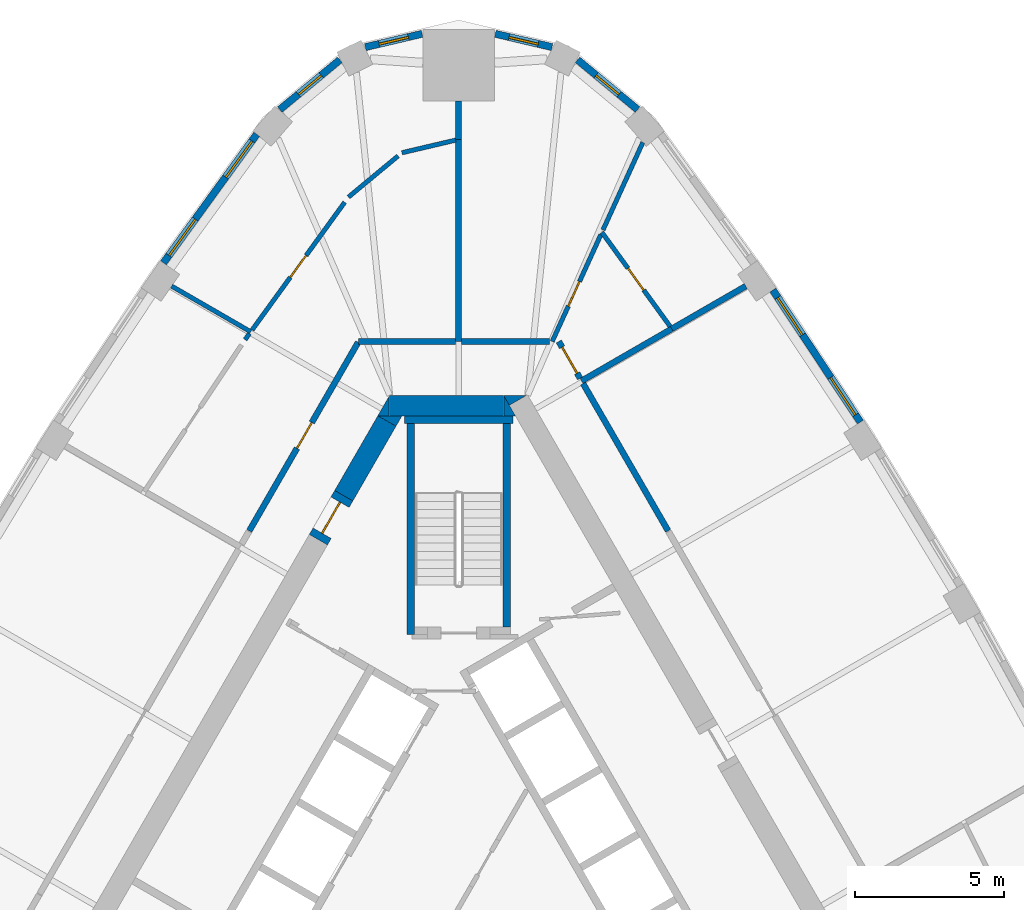
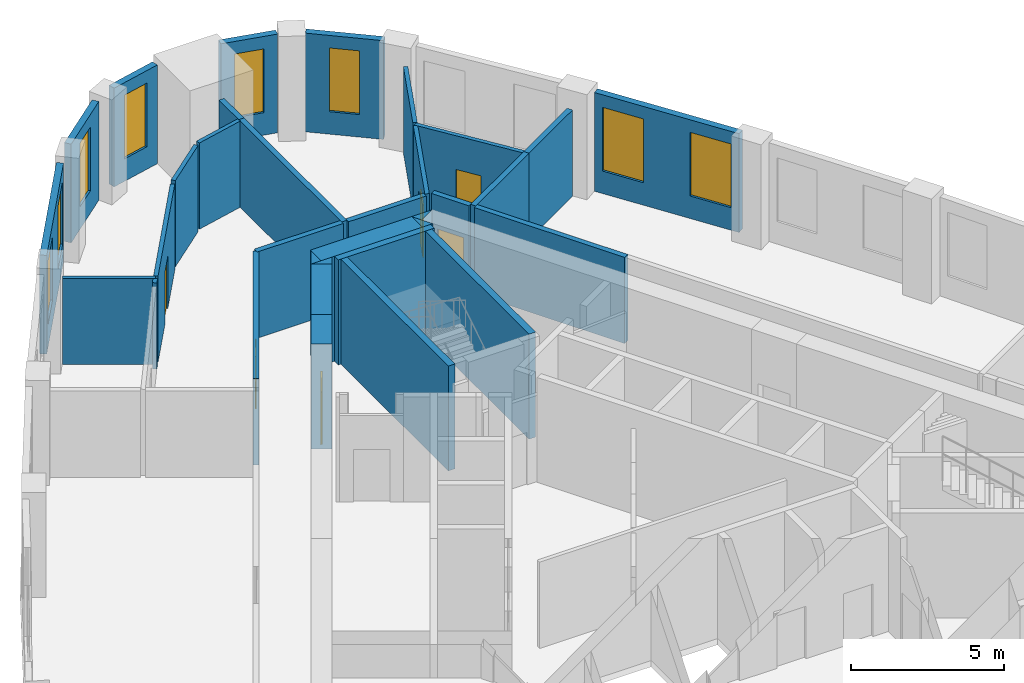
# One storey, part 8 of 10: 33 walls, 8 windows, 6 doors, 14 openings.
"""IFC4 building model written with IfcOpenShell, lengths in metres."""

from ifc_helpers import new_model, si_unit, direction, frame, frame_2d, origin, place, context, subcontext, project, spatial, polyline, rectangle, outline, extrude, material, layer, layer_set, type_object, element, fill, save


model = new_model("IFC4")

# Units and contexts
model_context = context("Model", 3, precision=1e-05, world=origin(), true_north=direction((0.0, 1.0)))
body_context = subcontext(model_context, "Body", "Model", "MODEL_VIEW")
ifc_project = project(units=[si_unit("LENGTHUNIT", "METRE"), si_unit("AREAUNIT", "SQUARE_METRE"), si_unit("VOLUMEUNIT", "CUBIC_METRE"), si_unit("PLANEANGLEUNIT", "RADIAN"), si_unit("MASSUNIT", "GRAM", prefix="KILO")], contexts=[model_context])

# Site, building, storey
site_placement = place(None, origin())
site = spatial("IfcSite", under=ifc_project, at=site_placement, CompositionType="ELEMENT")
building_placement = place(site_placement, origin())
building = spatial("IfcBuilding", under=site, at=building_placement, Name="Mestral Congress Tower", CompositionType="ELEMENT")
storey_placement = place(building_placement, frame((0.0, 0.0, 243.60009765625)))
storey = spatial("IfcBuildingStorey", under=building, at=storey_placement, Name="L57", CompositionType="ELEMENT", Elevation=243.60009765625)

# Walls
ifc_material_1 = material(Name="Concrete C60/75", Category="concrete")
ifc_layer_1 = layer(ifc_material_1, 0.699951171875)
ifc_layer_set_1 = layer_set([ifc_layer_1], Name="Concrete C60/75")
wall_type_1 = type_object("IfcWallType", Name="Core wall RC 700", PredefinedType="SOLIDWALL", material=ifc_layer_set_1)
placement = place(storey_placement, origin())
element("IfcWall", 1, at=placement, inside=storey, type_object=wall_type_1, Name="L57 core wall", PredefinedType="SOLIDWALL", context=body_context, shape_type="SweptSolid", body=[
    extrude(outline(polyline([(1.501220703125, 16.699951171875), (2.277099609375, 16.699951171875), (1.695068359375, 16.364013671875), (1.501220703125, 16.699951171875)])), origin(), (0.0, 0.0, 1.0), 4.199951171875),
])
wall_2_placement = place(storey_placement, frame((-2.323486328125, 16.35009765625, 0.0), z_axis=(0.0, 0.0, 1.0), x_axis=(1.0, 0.0, 0.0)))
element("IfcWall", 2, at=wall_2_placement, inside=storey, type_object=wall_type_1, Name="L57 core wall", PredefinedType="SOLIDWALL", context=body_context, shape_type="SweptSolid", body=[
    extrude(rectangle(XDim=3.828857421875, YDim=0.699951171875, at=frame_2d((1.91455078125, 0.0))), origin(), (0.0, 0.0, 1.0), 4.199951171875),
])
element("IfcWall", 3, at=placement, inside=storey, type_object=wall_type_1, Name="L57 core wall", PredefinedType="SOLIDWALL", context=body_context, shape_type="SweptSolid", body=[
    extrude(outline(polyline([(1.9052734375, 16.0), (1.50732421875, 16.0), (1.50732421875, 16.689208984375), (1.9052734375, 16.0)])), origin(), (0.0, 0.0, 1.0), 4.199951171875),
])
element("IfcWall", 4, at=placement, inside=storey, type_object=wall_type_1, Name="L57 core wall", PredefinedType="SOLIDWALL", context=body_context, shape_type="SweptSolid", body=[
    extrude(outline(polyline([(-2.71337890625, 16.0), (-2.325439453125, 16.672119140625), (-2.325439453125, 16.0), (-2.71337890625, 16.0)])), origin(), (0.0, 0.0, 1.0), 4.199951171875),
])
wall_5_placement = place(storey_placement, frame((-2.4033203125, 15.837158203125, 0.0), z_axis=(0.0, 0.0, 1.0), x_axis=(-0.500008214683, -0.866020660983, 0.0)))
element("IfcWall", 5, at=wall_5_placement, inside=storey, type_object=wall_type_1, Name="L57 core wall", PredefinedType="SOLIDWALL", context=body_context, shape_type="SweptSolid", body=[
    extrude(rectangle(XDim=2.88427734375, YDim=0.699951171875, at=frame_2d((1.442138671875, 0.0))), origin(), (0.0, 0.0, 1.0), 4.199951171875),
])
element("IfcWall", 6, at=placement, inside=storey, type_object=wall_type_1, Name="L57 core wall", PredefinedType="SOLIDWALL", context=body_context, shape_type="SweptSolid", body=[
    extrude(outline(polyline([(-1.9052734375, 16.0), (-2.099365234375, 15.6640625), (-2.681396484375, 16.0), (-1.9052734375, 16.0)])), origin(), (0.0, 0.0, 1.0), 4.199951171875),
])

# Wall, opening, door
wall_7_placement = place(storey_placement, frame((-4.695556640625, 11.866943359375, 0.0), z_axis=(0.0, 0.0, 1.0), x_axis=(0.499892348375, 0.866087547558, 0.0)))
wall_7 = element("IfcWall", 7, at=wall_7_placement, inside=storey, type_object=wall_type_1, Name="L57 door wall", PredefinedType="SOLIDWALL", context=body_context, shape_type="SweptSolid", body=[
    extrude(rectangle(XDim=1.699951171875, YDim=0.699951171875, at=frame_2d((0.85009765625, 0.0))), origin(), (0.0, 0.0, 1.0), 4.199951171875),
])
opening_1_placement = place(wall_7_placement, frame((0.25, 0.0, 0.0)))
opening_1 = element("IfcOpeningElement", 8, at=opening_1_placement, cuts=wall_7, Name="Opening XD2", PredefinedType="OPENING", context=body_context, shape_type="SweptSolid", body=[
    extrude(rectangle(XDim=1.199951171875, YDim=2.10009765625, at=frame_2d((0.60009765625, 1.050048828125))), frame((0.0, 0.35986328125, 0.0), z_axis=(0.0, -1.0, 0.0), x_axis=(1.0, 0.0, 0.0)), (0.0, 0.0, 1.0), 0.719970703125),
])
ifc_material_2 = material(Name="Fire-rated steel door set", Category="steel")
door_type_1 = type_object("IfcDoorType", Name="Core door XD 1200x2100", OperationType="SINGLE_SWING_LEFT", PredefinedType="DOOR", material=ifc_material_2)
door_1_placement = place(opening_1_placement, origin())
door_1 = element("IfcDoor", 9, at=door_1_placement, inside=storey, type_object=door_type_1, Name="Door XD2", OperationType="SINGLE_SWING_LEFT", OverallHeight=2.10009765625, OverallWidth=1.199951171875, PredefinedType="DOOR", context=body_context, shape_type="SweptSolid", body=[
    extrude(rectangle(XDim=1.199951171875, YDim=2.10009765625, at=frame_2d((0.60009765625, 1.050048828125))), frame((0.0, 0.02490234375, 0.0), z_axis=(0.0, -1.0, 0.0), x_axis=(1.0, 0.0, 0.0)), (0.0, 0.0, 1.0), 0.050048828125),
])
fill(opening_1, door_1)

# Wall, openings, windows
ifc_material_3 = material(Name="Precast concrete C40/50 with limestone facing", Category="masonry")
ifc_layer_2 = layer(ifc_material_3, 0.239990234375)
ifc_layer_set_2 = layer_set([ifc_layer_2], Name="Precast concrete C40/50 with limestone facing")
wall_type_2 = type_object("IfcWallType", Name="Facade stone wall 240", PredefinedType="SOLIDWALL", material=ifc_layer_set_2)
wall_8_placement = place(storey_placement, frame((13.442138671875, 15.803466796875, 0.0), z_axis=(0.0, 0.0, 1.0), x_axis=(-0.552901821755, 0.833246407433, 0.0)))
wall_8 = element("IfcWall", 10, at=wall_8_placement, inside=storey, type_object=wall_type_2, Name="Facade wall F1-04", PredefinedType="SOLIDWALL", context=body_context, shape_type="SweptSolid", body=[
    extrude(rectangle(XDim=5.29833984375, YDim=0.239990234375, at=frame_2d((2.649169921875, 0.0))), origin(), (0.0, 0.0, 1.0), 3.949951171875),
])
opening_2_placement = place(wall_8_placement, frame((0.294677734375, 0.0, 0.89990234375)))
opening_2 = element("IfcOpeningElement", 11, at=opening_2_placement, cuts=wall_8, Name="Opening W4", PredefinedType="OPENING", context=body_context, shape_type="SweptSolid", body=[
    extrude(rectangle(XDim=1.5, YDim=2.550048828125, at=frame_2d((0.75, 1.27490234375))), frame((0.0, 0.1298828125, 0.0), z_axis=(0.0, -1.0, 0.0), x_axis=(1.0, 0.0, 0.0)), (0.0, 0.0, 1.0), 0.260009765625),
])
opening_3_placement = place(wall_8_placement, frame((3.50390625, 0.0, 0.89990234375)))
opening_3 = element("IfcOpeningElement", 12, at=opening_3_placement, cuts=wall_8, Name="Opening W4", PredefinedType="OPENING", context=body_context, shape_type="SweptSolid", body=[
    extrude(rectangle(XDim=1.5, YDim=2.550048828125, at=frame_2d((0.75, 1.27490234375))), frame((0.0, 0.1298828125, 0.0), z_axis=(0.0, -1.0, 0.0), x_axis=(1.0, 0.0, 0.0)), (0.0, 0.0, 1.0), 0.260009765625),
])
ifc_material_4 = material(Name="Clear low-emissivity double glazing", Category="glass")
window_type_1 = type_object("IfcWindowType", Name="Facade punched window 1500 x 2550 sill 900", PartitioningType="SINGLE_PANEL", PredefinedType="WINDOW", material=ifc_material_4)
window_1_placement = place(opening_2_placement, origin())
window_1 = element("IfcWindow", 13, at=window_1_placement, inside=storey, type_object=window_type_1, Name="Window F1-04a", OverallHeight=2.550048828125, OverallWidth=1.5, PartitioningType="SINGLE_PANEL", PredefinedType="WINDOW", context=body_context, shape_type="SweptSolid", body=[
    extrude(rectangle(XDim=1.5, YDim=2.550048828125, at=frame_2d((0.75, 1.27490234375))), frame((0.0, 0.0400390625, 0.0), z_axis=(0.0, -1.0, 0.0), x_axis=(1.0, 0.0, 0.0)), (0.0, 0.0, 1.0), 0.06005859375),
])
fill(opening_2, window_1)
window_2_placement = place(opening_3_placement, origin())
window_2 = element("IfcWindow", 14, at=window_2_placement, inside=storey, type_object=window_type_1, Name="Window F1-04b", OverallHeight=2.550048828125, OverallWidth=1.5, PartitioningType="SINGLE_PANEL", PredefinedType="WINDOW", context=body_context, shape_type="SweptSolid", body=[
    extrude(rectangle(XDim=1.5, YDim=2.550048828125, at=frame_2d((0.75, 1.27490234375))), frame((0.0, 0.0400390625, 0.0), z_axis=(0.0, -1.0, 0.0), x_axis=(1.0, 0.0, 0.0)), (0.0, 0.0, 1.0), 0.06005859375),
])
fill(opening_3, window_2)

# Wall, opening, window
wall_9_placement = place(storey_placement, frame((5.986572265625, 26.259033203125, 0.0), z_axis=(0.0, 0.0, 1.0), x_axis=(-0.769990037733, 0.638055908045, 0.0)))
wall_9 = element("IfcWall", 15, at=wall_9_placement, inside=storey, type_object=wall_type_2, Name="Facade wall K1-0", PredefinedType="SOLIDWALL", context=body_context, shape_type="SweptSolid", body=[
    extrude(rectangle(XDim=2.609130859375, YDim=0.239990234375, at=frame_2d((1.3046875, 0.0))), origin(), (0.0, 0.0, 1.0), 3.949951171875),
])
opening_4_placement = place(wall_9_placement, frame((0.8046875, 0.0, 0.89990234375)))
opening_4 = element("IfcOpeningElement", 16, at=opening_4_placement, cuts=wall_9, Name="Opening W5", PredefinedType="OPENING", context=body_context, shape_type="SweptSolid", body=[
    extrude(rectangle(XDim=1.0, YDim=2.550048828125, at=frame_2d((0.5, 1.27490234375))), frame((0.0, 0.1298828125, 0.0), z_axis=(0.0, -1.0, 0.0), x_axis=(1.0, 0.0, 0.0)), (0.0, 0.0, 1.0), 0.260009765625),
])
window_type_2 = type_object("IfcWindowType", Name="Facade punched window 1000 x 2550 sill 900", PartitioningType="SINGLE_PANEL", PredefinedType="WINDOW", material=ifc_material_4)
window_3_placement = place(opening_4_placement, origin())
window_3 = element("IfcWindow", 17, at=window_3_placement, inside=storey, type_object=window_type_2, Name="Window K1-0", OverallHeight=2.550048828125, OverallWidth=1.0, PartitioningType="SINGLE_PANEL", PredefinedType="WINDOW", context=body_context, shape_type="SweptSolid", body=[
    extrude(rectangle(XDim=1.0, YDim=2.550048828125, at=frame_2d((0.5, 1.27490234375))), frame((0.0, 0.0400390625, 0.0), z_axis=(0.0, -1.0, 0.0), x_axis=(1.0, 0.0, 0.0)), (0.0, 0.0, 1.0), 0.06005859375),
])
fill(opening_4, window_3)

wall_10_placement = place(storey_placement, frame((3.123046875, 28.3486328125, 0.0), z_axis=(0.0, 0.0, 1.0), x_axis=(-0.973515706272, 0.228620142686, 0.0)))
wall_10 = element("IfcWall", 18, at=wall_10_placement, inside=storey, type_object=wall_type_2, Name="Facade wall K1-1", PredefinedType="SOLIDWALL", context=body_context, shape_type="SweptSolid", body=[
    extrude(rectangle(XDim=1.94775390625, YDim=0.239990234375, at=frame_2d((0.973876953125, 0.0))), origin(), (0.0, 0.0, 1.0), 3.949951171875),
])
opening_5_placement = place(wall_10_placement, frame((0.47412109375, 0.0, 0.89990234375)))
opening_5 = element("IfcOpeningElement", 19, at=opening_5_placement, cuts=wall_10, Name="Opening W5", PredefinedType="OPENING", context=body_context, shape_type="SweptSolid", body=[
    extrude(rectangle(XDim=1.0, YDim=2.550048828125, at=frame_2d((0.5, 1.27490234375))), frame((0.0, 0.1298828125, 0.0), z_axis=(0.0, -1.0, 0.0), x_axis=(1.0, 0.0, 0.0)), (0.0, 0.0, 1.0), 0.260009765625),
])
window_4_placement = place(opening_5_placement, origin())
window_4 = element("IfcWindow", 20, at=window_4_placement, inside=storey, type_object=window_type_2, Name="Window K1-1", OverallHeight=2.550048828125, OverallWidth=1.0, PartitioningType="SINGLE_PANEL", PredefinedType="WINDOW", context=body_context, shape_type="SweptSolid", body=[
    extrude(rectangle(XDim=1.0, YDim=2.550048828125, at=frame_2d((0.5, 1.27490234375))), frame((0.0, 0.0400390625, 0.0), z_axis=(0.0, -1.0, 0.0), x_axis=(1.0, 0.0, 0.0)), (0.0, 0.0, 1.0), 0.06005859375),
])
fill(opening_5, window_4)

wall_11_placement = place(storey_placement, frame((-1.226806640625, 28.7939453125, 0.0), z_axis=(0.0, 0.0, 1.0), x_axis=(-0.973515706272, -0.228620142686, 0.0)))
wall_11 = element("IfcWall", 21, at=wall_11_placement, inside=storey, type_object=wall_type_2, Name="Facade wall K1-2", PredefinedType="SOLIDWALL", context=body_context, shape_type="SweptSolid", body=[
    extrude(rectangle(XDim=1.94775390625, YDim=0.239990234375, at=frame_2d((0.973876953125, 0.0))), origin(), (0.0, 0.0, 1.0), 3.949951171875),
])
opening_6_placement = place(wall_11_placement, frame((0.47412109375, 0.0, 0.89990234375)))
opening_6 = element("IfcOpeningElement", 22, at=opening_6_placement, cuts=wall_11, Name="Opening W5", PredefinedType="OPENING", context=body_context, shape_type="SweptSolid", body=[
    extrude(rectangle(XDim=1.0, YDim=2.550048828125, at=frame_2d((0.5, 1.27490234375))), frame((0.0, 0.1298828125, 0.0), z_axis=(0.0, -1.0, 0.0), x_axis=(1.0, 0.0, 0.0)), (0.0, 0.0, 1.0), 0.260009765625),
])
window_5_placement = place(opening_6_placement, origin())
window_5 = element("IfcWindow", 23, at=window_5_placement, inside=storey, type_object=window_type_2, Name="Window K1-2", OverallHeight=2.550048828125, OverallWidth=1.0, PartitioningType="SINGLE_PANEL", PredefinedType="WINDOW", context=body_context, shape_type="SweptSolid", body=[
    extrude(rectangle(XDim=1.0, YDim=2.550048828125, at=frame_2d((0.5, 1.27490234375))), frame((0.0, 0.0400390625, 0.0), z_axis=(0.0, -1.0, 0.0), x_axis=(1.0, 0.0, 0.0)), (0.0, 0.0, 1.0), 0.06005859375),
])
fill(opening_6, window_5)

wall_12_placement = place(storey_placement, frame((-3.9775390625, 27.923828125, 0.0), z_axis=(0.0, 0.0, 1.0), x_axis=(-0.769990037733, -0.638055908045, 0.0)))
wall_12 = element("IfcWall", 24, at=wall_12_placement, inside=storey, type_object=wall_type_2, Name="Facade wall K1-3", PredefinedType="SOLIDWALL", context=body_context, shape_type="SweptSolid", body=[
    extrude(rectangle(XDim=2.609130859375, YDim=0.239990234375, at=frame_2d((1.3046875, 0.0))), origin(), (0.0, 0.0, 1.0), 3.949951171875),
])
opening_7_placement = place(wall_12_placement, frame((0.8046875, 0.0, 0.89990234375)))
opening_7 = element("IfcOpeningElement", 25, at=opening_7_placement, cuts=wall_12, Name="Opening W5", PredefinedType="OPENING", context=body_context, shape_type="SweptSolid", body=[
    extrude(rectangle(XDim=1.0, YDim=2.550048828125, at=frame_2d((0.5, 1.27490234375))), frame((0.0, 0.1298828125, 0.0), z_axis=(0.0, -1.0, 0.0), x_axis=(1.0, 0.0, 0.0)), (0.0, 0.0, 1.0), 0.260009765625),
])
window_6_placement = place(opening_7_placement, origin())
window_6 = element("IfcWindow", 26, at=window_6_placement, inside=storey, type_object=window_type_2, Name="Window K1-3", OverallHeight=2.550048828125, OverallWidth=1.0, PartitioningType="SINGLE_PANEL", PredefinedType="WINDOW", context=body_context, shape_type="SweptSolid", body=[
    extrude(rectangle(XDim=1.0, YDim=2.550048828125, at=frame_2d((0.5, 1.27490234375))), frame((0.0, 0.0400390625, 0.0), z_axis=(0.0, -1.0, 0.0), x_axis=(1.0, 0.0, 0.0)), (0.0, 0.0, 1.0), 0.06005859375),
])
fill(opening_7, window_6)

# Wall, openings, windows
wall_13_placement = place(storey_placement, frame((-6.760986328125, 25.431884765625, 0.0), z_axis=(0.0, 0.0, 1.0), x_axis=(-0.586998456641, -0.80958805074, 0.0)))
wall_13 = element("IfcWall", 27, at=wall_13_placement, inside=storey, type_object=wall_type_2, Name="Facade wall F2-00", PredefinedType="SOLIDWALL", context=body_context, shape_type="SweptSolid", body=[
    extrude(rectangle(XDim=5.310791015625, YDim=0.239990234375, at=frame_2d((2.6552734375, 0.0))), origin(), (0.0, 0.0, 1.0), 3.949951171875),
])
opening_8_placement = place(wall_13_placement, frame((0.271484375, 0.0, 0.89990234375)))
opening_8 = element("IfcOpeningElement", 28, at=opening_8_placement, cuts=wall_13, Name="Opening W4", PredefinedType="OPENING", context=body_context, shape_type="SweptSolid", body=[
    extrude(rectangle(XDim=1.5, YDim=2.550048828125, at=frame_2d((0.75, 1.27490234375))), frame((0.0, 0.1298828125, 0.0), z_axis=(0.0, -1.0, 0.0), x_axis=(1.0, 0.0, 0.0)), (0.0, 0.0, 1.0), 0.260009765625),
])
opening_9_placement = place(wall_13_placement, frame((3.50439453125, 0.0, 0.89990234375)))
opening_9 = element("IfcOpeningElement", 29, at=opening_9_placement, cuts=wall_13, Name="Opening W4", PredefinedType="OPENING", context=body_context, shape_type="SweptSolid", body=[
    extrude(rectangle(XDim=1.5, YDim=2.550048828125, at=frame_2d((0.75, 1.27490234375))), frame((0.0, 0.1298828125, 0.0), z_axis=(0.0, -1.0, 0.0), x_axis=(1.0, 0.0, 0.0)), (0.0, 0.0, 1.0), 0.260009765625),
])
window_7_placement = place(opening_8_placement, origin())
window_7 = element("IfcWindow", 30, at=window_7_placement, inside=storey, type_object=window_type_1, Name="Window F2-00a", OverallHeight=2.550048828125, OverallWidth=1.5, PartitioningType="SINGLE_PANEL", PredefinedType="WINDOW", context=body_context, shape_type="SweptSolid", body=[
    extrude(rectangle(XDim=1.5, YDim=2.550048828125, at=frame_2d((0.75, 1.27490234375))), frame((0.0, 0.0400390625, 0.0), z_axis=(0.0, -1.0, 0.0), x_axis=(1.0, 0.0, 0.0)), (0.0, 0.0, 1.0), 0.06005859375),
])
fill(opening_8, window_7)
window_8_placement = place(opening_9_placement, origin())
window_8 = element("IfcWindow", 31, at=window_8_placement, inside=storey, type_object=window_type_1, Name="Window F2-00b", OverallHeight=2.550048828125, OverallWidth=1.5, PartitioningType="SINGLE_PANEL", PredefinedType="WINDOW", context=body_context, shape_type="SweptSolid", body=[
    extrude(rectangle(XDim=1.5, YDim=2.550048828125, at=frame_2d((0.75, 1.27490234375))), frame((0.0, 0.0400390625, 0.0), z_axis=(0.0, -1.0, 0.0), x_axis=(1.0, 0.0, 0.0)), (0.0, 0.0, 1.0), 0.06005859375),
])
fill(opening_9, window_8)

# Wall, opening, door
ifc_material_5 = material(Name="Plasterboard partition on steel studs", Category="steel")
ifc_layer_3 = layer(ifc_material_5, 0.14990234375)
ifc_layer_set_3 = layer_set([ifc_layer_3], Name="Plasterboard partition on steel studs")
wall_type_3 = type_object("IfcWallType", Name="Office partition 150", PredefinedType="PARTITIONING", material=ifc_layer_set_3)
wall_14_placement = place(storey_placement, frame((4.791259765625, 22.15185546875, 0.0), z_axis=(0.0, 0.0, 1.0), x_axis=(0.586987127968, -0.809596264567, 0.0)))
wall_14 = element("IfcWall", 32, at=wall_14_placement, inside=storey, type_object=wall_type_3, Name="Partition", PredefinedType="PARTITIONING", context=body_context, shape_type="SweptSolid", body=[
    extrude(rectangle(XDim=3.88671875, YDim=0.14990234375, at=frame_2d((1.943359375, 0.0))), origin(), (0.0, 0.0, 1.0), 3.449951171875),
])
opening_10_placement = place(wall_14_placement, frame((1.486572265625, 0.0, 0.0)))
opening_10 = element("IfcOpeningElement", 33, at=opening_10_placement, cuts=wall_14, Name="Opening O09-009", PredefinedType="OPENING", context=body_context, shape_type="SweptSolid", body=[
    extrude(rectangle(XDim=0.89990234375, YDim=2.10009765625, at=frame_2d((0.449951171875, 1.050048828125))), frame((0.0, 0.0849609375, 0.0), z_axis=(0.0, -1.0, 0.0), x_axis=(1.0, 0.0, 0.0)), (0.0, 0.0, 1.0), 0.169921875),
])
ifc_material_6 = material(Name="Timber door set", Category="wood")
door_type_2 = type_object("IfcDoorType", Name="Office door 900x2100", OperationType="SINGLE_SWING_LEFT", PredefinedType="DOOR", material=ifc_material_6)
door_2_placement = place(opening_10_placement, origin())
door_2 = element("IfcDoor", 34, at=door_2_placement, inside=storey, type_object=door_type_2, Name="Door O09-009", OperationType="SINGLE_SWING_LEFT", OverallHeight=2.10009765625, OverallWidth=0.89990234375, PredefinedType="DOOR", context=body_context, shape_type="SweptSolid", body=[
    extrude(rectangle(XDim=0.89990234375, YDim=2.10009765625, at=frame_2d((0.449951171875, 1.050048828125))), frame((0.0, 0.02490234375, 0.0), z_axis=(0.0, -1.0, 0.0), x_axis=(1.0, 0.0, 0.0)), (0.0, 0.0, 1.0), 0.050048828125),
])
fill(opening_10, door_2)

# Wall
wall_15_placement = place(storey_placement, frame((4.826904296875, 22.230224609375, 0.0), z_axis=(0.0, 0.0, 1.0), x_axis=(0.414339921123, 0.91012220595, 0.0)))
element("IfcWall", 35, at=wall_15_placement, inside=storey, type_object=wall_type_3, Name="Partition", PredefinedType="PARTITIONING", context=body_context, shape_type="SweptSolid", body=[
    extrude(rectangle(XDim=3.219482421875, YDim=0.14990234375, at=frame_2d((1.60986328125, 0.0))), origin(), (0.0, 0.0, 1.0), 3.449951171875),
])

# Wall, opening, door
wall_16_placement = place(storey_placement, frame((3.12890625, 18.5, 0.0), z_axis=(0.0, 0.0, 1.0), x_axis=(0.414332290546, 0.910125679789, 0.0)))
wall_16 = element("IfcWall", 36, at=wall_16_placement, inside=storey, type_object=wall_type_3, Name="Partition", PredefinedType="PARTITIONING", context=body_context, shape_type="SweptSolid", body=[
    extrude(rectangle(XDim=3.926025390625, YDim=0.14990234375, at=frame_2d((1.962890625, 0.0))), origin(), (0.0, 0.0, 1.0), 3.449951171875),
])
opening_11_placement = place(wall_16_placement, frame((1.300048828125, 0.0, 0.0)))
opening_11 = element("IfcOpeningElement", 37, at=opening_11_placement, cuts=wall_16, Name="Opening O09-011", PredefinedType="OPENING", context=body_context, shape_type="SweptSolid", body=[
    extrude(rectangle(XDim=0.89990234375, YDim=2.10009765625, at=frame_2d((0.449951171875, 1.050048828125))), frame((0.0, 0.0849609375, 0.0), z_axis=(0.0, -1.0, 0.0), x_axis=(1.0, 0.0, 0.0)), (0.0, 0.0, 1.0), 0.169921875),
])
door_3_placement = place(opening_11_placement, origin())
door_3 = element("IfcDoor", 38, at=door_3_placement, inside=storey, type_object=door_type_2, Name="Door O09-011", OperationType="SINGLE_SWING_LEFT", OverallHeight=2.10009765625, OverallWidth=0.89990234375, PredefinedType="DOOR", context=body_context, shape_type="SweptSolid", body=[
    extrude(rectangle(XDim=0.89990234375, YDim=2.10009765625, at=frame_2d((0.449951171875, 1.050048828125))), frame((0.0, 0.02490234375, 0.0), z_axis=(0.0, -1.0, 0.0), x_axis=(1.0, 0.0, 0.0)), (0.0, 0.0, 1.0), 0.050048828125),
])
fill(opening_11, door_3)

# Walls
wall_17_placement = place(storey_placement, frame((-6.957763671875, 18.8232421875, 0.0), z_axis=(0.0, 0.0, 1.0), x_axis=(-0.866008752819, 0.500028839209, 0.0)))
element("IfcWall", 39, at=wall_17_placement, inside=storey, type_object=wall_type_3, Name="Partition", PredefinedType="PARTITIONING", context=body_context, shape_type="SweptSolid", body=[
    extrude(rectangle(XDim=3.057861328125, YDim=0.14990234375, at=frame_2d((1.52880859375, 0.0))), origin(), (0.0, 0.0, 1.0), 3.449951171875),
])
wall_18_placement = place(storey_placement, frame((-0.10009765625, 25.2373046875, 0.0), z_axis=(0.0, 0.0, 1.0), x_axis=(-0.973501996937, -0.22867851224, 0.0)))
element("IfcWall", 40, at=wall_18_placement, inside=storey, type_object=wall_type_3, Name="Partition", PredefinedType="PARTITIONING", context=body_context, shape_type="SweptSolid", body=[
    extrude(rectangle(XDim=1.84814453125, YDim=0.14990234375, at=frame_2d((0.924072265625, 0.0))), origin(), (0.0, 0.0, 1.0), 3.449951171875),
])
wall_19_placement = place(storey_placement, frame((-2.02880859375, 24.707275390625, 0.0), z_axis=(0.0, 0.0, 1.0), x_axis=(-0.769991356208, -0.63805431694, 0.0)))
element("IfcWall", 41, at=wall_19_placement, inside=storey, type_object=wall_type_3, Name="Partition", PredefinedType="PARTITIONING", context=body_context, shape_type="SweptSolid", body=[
    extrude(rectangle(XDim=2.15576171875, YDim=0.14990234375, at=frame_2d((1.077880859375, 0.0))), origin(), (0.0, 0.0, 1.0), 3.449951171875),
])

# Wall, opening, door
wall_20_placement = place(storey_placement, frame((-6.913330078125, 18.884521484375, 0.0), z_axis=(0.0, 0.0, 1.0), x_axis=(0.587002430779, 0.809585169244, 0.0)))
wall_20 = element("IfcWall", 42, at=wall_20_placement, inside=storey, type_object=wall_type_3, Name="Partition", PredefinedType="PARTITIONING", context=body_context, shape_type="SweptSolid", body=[
    extrude(rectangle(XDim=5.279052734375, YDim=0.14990234375, at=frame_2d((2.6396484375, 0.0))), origin(), (0.0, 0.0, 1.0), 3.449951171875),
])
opening_12_placement = place(wall_20_placement, frame((2.179443359375, 0.0, 0.0)))
opening_12 = element("IfcOpeningElement", 43, at=opening_12_placement, cuts=wall_20, Name="Opening O09-012", PredefinedType="OPENING", context=body_context, shape_type="SweptSolid", body=[
    extrude(rectangle(XDim=0.89990234375, YDim=2.10009765625, at=frame_2d((0.449951171875, 1.050048828125))), frame((0.0, 0.0849609375, 0.0), z_axis=(0.0, -1.0, 0.0), x_axis=(1.0, 0.0, 0.0)), (0.0, 0.0, 1.0), 0.169921875),
])
door_4_placement = place(opening_12_placement, origin())
door_4 = element("IfcDoor", 44, at=door_4_placement, inside=storey, type_object=door_type_2, Name="Door O09-012", OperationType="SINGLE_SWING_LEFT", OverallHeight=2.10009765625, OverallWidth=0.89990234375, PredefinedType="DOOR", context=body_context, shape_type="SweptSolid", body=[
    extrude(rectangle(XDim=0.89990234375, YDim=2.10009765625, at=frame_2d((0.449951171875, 1.050048828125))), frame((0.0, 0.02490234375, 0.0), z_axis=(0.0, -1.0, 0.0), x_axis=(1.0, 0.0, 0.0)), (0.0, 0.0, 1.0), 0.050048828125),
])
fill(opening_12, door_4)

# Walls
wall_21_placement = place(storey_placement, frame((-7.001953125, 18.76220703125, 0.0), z_axis=(0.0, 0.0, 1.0), x_axis=(-0.587529982795, -0.809202397004, 0.0)))
element("IfcWall", 45, at=wall_21_placement, inside=storey, type_object=wall_type_3, Name="Partition", PredefinedType="PARTITIONING", context=body_context, shape_type="SweptSolid", body=[
    extrude(rectangle(XDim=0.2490234375, YDim=0.14990234375, at=frame_2d((0.12451171875, 0.0))), origin(), (0.0, 0.0, 1.0), 3.449951171875),
])
ifc_material_7 = material(Name="Dense masonry wall, plastered", Category="masonry")
ifc_layer_4 = layer(ifc_material_7, 0.199951171875)
ifc_layer_set_4 = layer_set([ifc_layer_4], Name="Dense masonry wall, plastered")
wall_type_4 = type_object("IfcWallType", Name="Office tenancy wall 200", PredefinedType="PARTITIONING", material=ifc_layer_set_4)
wall_22_placement = place(storey_placement, frame((7.12841796875, 18.921875, 0.0), z_axis=(0.0, 0.0, 1.0), x_axis=(0.866023575777, 0.500003166188, 0.0)))
element("IfcWall", 46, at=wall_22_placement, inside=storey, type_object=wall_type_4, Name="Tenancy wall", PredefinedType="PARTITIONING", context=body_context, shape_type="SweptSolid", body=[
    extrude(rectangle(XDim=2.86083984375, YDim=0.199951171875, at=frame_2d((1.430419921875, 0.0))), origin(), (0.0, 0.0, 1.0), 3.449951171875),
])
wall_23_placement = place(storey_placement, frame((4.11083984375, 17.1796875, 0.0), z_axis=(0.0, 0.0, 1.0), x_axis=(0.866031916153, 0.499988720078, 0.0)))
element("IfcWall", 47, at=wall_23_placement, inside=storey, type_object=wall_type_4, Name="Tenancy wall", PredefinedType="PARTITIONING", context=body_context, shape_type="SweptSolid", body=[
    extrude(rectangle(XDim=3.4921875, YDim=0.199951171875, at=frame_2d((1.74609375, 0.0))), origin(), (0.0, 0.0, 1.0), 3.449951171875),
])
wall_24_placement = place(storey_placement, frame((7.007080078125, 12.1630859375, 0.0), z_axis=(0.0, 0.0, 1.0), x_axis=(-0.499986040413, 0.866033463206, 0.0)))
element("IfcWall", 48, at=wall_24_placement, inside=storey, type_object=wall_type_4, Name="Tenancy wall", PredefinedType="PARTITIONING", context=body_context, shape_type="SweptSolid", body=[
    extrude(rectangle(XDim=5.692626953125, YDim=0.199951171875, at=frame_2d((2.84619140625, 0.0))), origin(), (0.0, 0.0, 1.0), 3.449951171875),
])

# Wall, opening, door
wall_25_placement = place(storey_placement, frame((4.060791015625, 17.266357421875, 0.0), z_axis=(0.0, 0.0, 1.0), x_axis=(-0.49995489152, 0.866051445611, 0.0)))
wall_25 = element("IfcWall", 49, at=wall_25_placement, inside=storey, type_object=wall_type_4, Name="Tenancy wall", PredefinedType="PARTITIONING", context=body_context, shape_type="SweptSolid", body=[
    extrude(rectangle(XDim=1.424560546875, YDim=0.199951171875, at=frame_2d((0.71240234375, 0.0))), origin(), (0.0, 0.0, 1.0), 3.449951171875),
])
opening_13_placement = place(wall_25_placement, frame((0.199951171875, 0.0, 0.0)))
opening_13 = element("IfcOpeningElement", 50, at=opening_13_placement, cuts=wall_25, Name="Opening O09-010", PredefinedType="OPENING", context=body_context, shape_type="SweptSolid", body=[
    extrude(rectangle(XDim=1.0, YDim=2.10009765625, at=frame_2d((0.5, 1.050048828125))), frame((0.0, 0.10986328125, 0.0), z_axis=(0.0, -1.0, 0.0), x_axis=(1.0, 0.0, 0.0)), (0.0, 0.0, 1.0), 0.219970703125),
])
ifc_material_8 = material(Name="Fire-rated timber door set", Category="wood")
door_type_3 = type_object("IfcDoorType", Name="Office tenancy entrance door 1000x2100", OperationType="SINGLE_SWING_LEFT", PredefinedType="DOOR", material=ifc_material_8)
door_5_placement = place(opening_13_placement, origin())
door_5 = element("IfcDoor", 51, at=door_5_placement, inside=storey, type_object=door_type_3, Name="Door O09-010", OperationType="SINGLE_SWING_LEFT", OverallHeight=2.10009765625, OverallWidth=1.0, PredefinedType="DOOR", context=body_context, shape_type="SweptSolid", body=[
    extrude(rectangle(XDim=1.0, YDim=2.10009765625, at=frame_2d((0.5, 1.050048828125))), frame((0.0, 0.02490234375, 0.0), z_axis=(0.0, -1.0, 0.0), x_axis=(1.0, 0.0, 0.0)), (0.0, 0.0, 1.0), 0.050048828125),
])
fill(opening_13, door_5)

# Walls
wall_26_placement = place(storey_placement, frame((0.0, 25.256591796875, 0.0), z_axis=(0.0, 0.0, 1.0), x_axis=(0.0, 1.0, 0.0)))
element("IfcWall", 52, at=wall_26_placement, inside=storey, type_object=wall_type_4, Name="Tenancy wall", PredefinedType="PARTITIONING", context=body_context, shape_type="SweptSolid", body=[
    extrude(rectangle(XDim=1.287841796875, YDim=0.199951171875, at=frame_2d((0.64404296875, 0.0))), origin(), (0.0, 0.0, 1.0), 3.449951171875),
])
wall_27_placement = place(storey_placement, frame((0.0, 18.5, 0.0), z_axis=(0.0, 0.0, 1.0), x_axis=(0.0, 1.0, 0.0)))
element("IfcWall", 53, at=wall_27_placement, inside=storey, type_object=wall_type_4, Name="Tenancy wall", PredefinedType="PARTITIONING", context=body_context, shape_type="SweptSolid", body=[
    extrude(rectangle(XDim=6.764892578125, YDim=0.199951171875, at=frame_2d((3.38232421875, 0.0))), origin(), (0.0, 0.0, 1.0), 3.449951171875),
])
wall_28_placement = place(storey_placement, frame((3.04638671875, 18.5, 0.0), z_axis=(0.0, 0.0, 1.0), x_axis=(-1.0, 0.0, 0.0)))
element("IfcWall", 54, at=wall_28_placement, inside=storey, type_object=wall_type_4, Name="Tenancy wall", PredefinedType="PARTITIONING", context=body_context, shape_type="SweptSolid", body=[
    extrude(rectangle(XDim=2.9462890625, YDim=0.199951171875, at=frame_2d((1.47314453125, 0.0))), origin(), (0.0, 0.0, 1.0), 3.449951171875),
])
wall_29_placement = place(storey_placement, frame((-0.10009765625, 18.5, 0.0), z_axis=(0.0, 0.0, 1.0), x_axis=(-1.0, 0.0, 0.0)))
element("IfcWall", 55, at=wall_29_placement, inside=storey, type_object=wall_type_4, Name="Tenancy wall", PredefinedType="PARTITIONING", context=body_context, shape_type="SweptSolid", body=[
    extrude(rectangle(XDim=3.24853515625, YDim=0.199951171875, at=frame_2d((1.624267578125, 0.0))), origin(), (0.0, 0.0, 1.0), 3.449951171875),
])

# Wall, opening, door
wall_30_placement = place(storey_placement, frame((-3.363525390625, 18.47412109375, 0.0), z_axis=(0.0, 0.0, 1.0), x_axis=(-0.499987324581, -0.866032721818, 0.0)))
wall_30 = element("IfcWall", 56, at=wall_30_placement, inside=storey, type_object=wall_type_4, Name="Tenancy wall", PredefinedType="PARTITIONING", context=body_context, shape_type="SweptSolid", body=[
    extrude(rectangle(XDim=7.287353515625, YDim=0.199951171875, at=frame_2d((3.6435546875, 0.0))), origin(), (0.0, 0.0, 1.0), 3.449951171875),
])
opening_14_placement = place(wall_30_placement, frame((3.10009765625, 0.0, 0.0)))
opening_14 = element("IfcOpeningElement", 57, at=opening_14_placement, cuts=wall_30, Name="Opening O09-014", PredefinedType="OPENING", context=body_context, shape_type="SweptSolid", body=[
    extrude(rectangle(XDim=1.0, YDim=2.10009765625, at=frame_2d((0.5, 1.050048828125))), frame((0.0, 0.10986328125, 0.0), z_axis=(0.0, -1.0, 0.0), x_axis=(1.0, 0.0, 0.0)), (0.0, 0.0, 1.0), 0.219970703125),
])
door_6_placement = place(opening_14_placement, origin())
door_6 = element("IfcDoor", 58, at=door_6_placement, inside=storey, type_object=door_type_3, Name="Door O09-014", OperationType="SINGLE_SWING_LEFT", OverallHeight=2.10009765625, OverallWidth=1.0, PredefinedType="DOOR", context=body_context, shape_type="SweptSolid", body=[
    extrude(rectangle(XDim=1.0, YDim=2.10009765625, at=frame_2d((0.5, 1.050048828125))), frame((0.0, 0.02490234375, 0.0), z_axis=(0.0, -1.0, 0.0), x_axis=(1.0, 0.0, 0.0)), (0.0, 0.0, 1.0), 0.050048828125),
])
fill(opening_14, door_6)

# Walls
ifc_layer_5 = layer(ifc_material_1, 0.25)
ifc_layer_set_5 = layer_set([ifc_layer_5], Name="Concrete C60/75")
wall_type_5 = type_object("IfcWallType", Name="Stair wall RC 250", PredefinedType="SOLIDWALL", material=ifc_layer_set_5)
wall_31_placement = place(storey_placement, frame((-1.81689453125, 15.875, 0.0), z_axis=(0.0, 0.0, 1.0), x_axis=(1.0, 0.0, 0.0)))
element("IfcWall", 59, at=wall_31_placement, inside=storey, type_object=wall_type_5, Name="L57 core wall", PredefinedType="SOLIDWALL", context=body_context, shape_type="SweptSolid", body=[
    extrude(rectangle(XDim=3.6337890625, YDim=0.25, at=frame_2d((1.81689453125, 0.0))), origin(), (0.0, 0.0, 1.0), 4.199951171875),
])
wall_32_placement = place(storey_placement, frame((1.60009765625, 8.949951171875, 0.0), z_axis=(0.0, 0.0, 1.0), x_axis=(0.0, 1.0, 0.0)))
element("IfcWall", 60, at=wall_32_placement, inside=storey, type_object=wall_type_5, Name="L57 core wall", PredefinedType="SOLIDWALL", context=body_context, shape_type="SweptSolid", body=[
    extrude(rectangle(XDim=6.800048828125, YDim=0.25, at=frame_2d((3.39990234375, 0.0))), origin(), (0.0, 0.0, 1.0), 4.199951171875),
])
wall_33_placement = place(storey_placement, frame((-1.60009765625, 8.699951171875, 0.0), z_axis=(0.0, 0.0, 1.0), x_axis=(0.0, 1.0, 0.0)))
element("IfcWall", 61, at=wall_33_placement, inside=storey, type_object=wall_type_5, Name="L57 core wall", PredefinedType="SOLIDWALL", context=body_context, shape_type="SweptSolid", body=[
    extrude(rectangle(XDim=7.050048828125, YDim=0.25, at=frame_2d((3.52490234375, 0.0))), origin(), (0.0, 0.0, 1.0), 4.199951171875),
])

save(model, "model.ifc")
